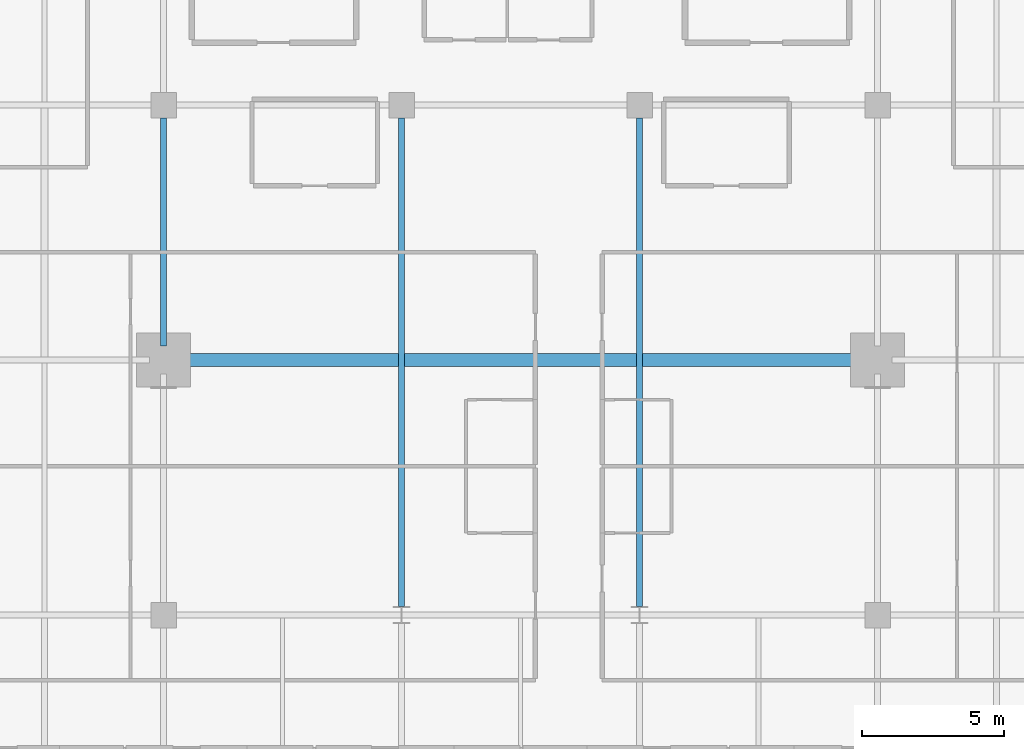
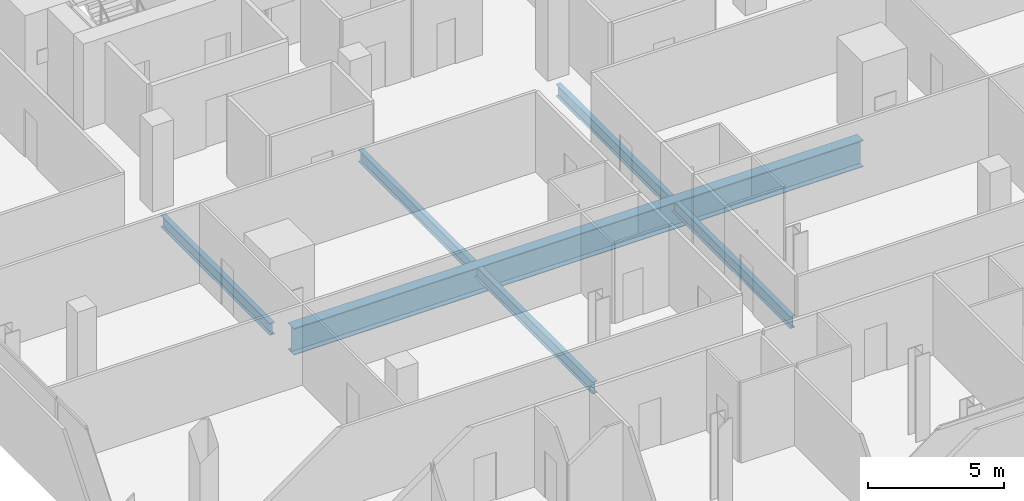
# One storey, part 11 of 33: 4 beams.
"""IFC4 building model written with IfcOpenShell, lengths in metres."""

from ifc_helpers import new_model, si_unit, direction, frame, origin, origin_2d, place, context, subcontext, project, spatial, i_section, extrude, material, material_profile, profile_set, type_object, element, save


model = new_model("IFC4")

# Units and contexts
model_context = context("Model", 3, precision=1e-05, world=origin(), true_north=direction((0.0, 1.0)))
body_context = subcontext(model_context, "Body", "Model", "MODEL_VIEW")
ifc_project = project(units=[si_unit("LENGTHUNIT", "METRE"), si_unit("AREAUNIT", "SQUARE_METRE"), si_unit("VOLUMEUNIT", "CUBIC_METRE"), si_unit("PLANEANGLEUNIT", "RADIAN"), si_unit("MASSUNIT", "GRAM", prefix="KILO")], contexts=[model_context])

# Site, building, storey
site_placement = place(None, origin())
site = spatial("IfcSite", under=ifc_project, at=site_placement, CompositionType="ELEMENT")
building_placement = place(site_placement, origin())
building = spatial("IfcBuilding", under=site, at=building_placement, Name="Maruvema Waterfront Hotel and Observation Tower", CompositionType="ELEMENT")
storey_placement = place(building_placement, frame((0.0, 0.0, 204.39990234375)))
storey = spatial("IfcBuildingStorey", under=building, at=storey_placement, Name="L50", CompositionType="ELEMENT", Elevation=204.39990234375)

# Beams
ifc_material_1 = material(Name="Steel ASTM A572 Grade 50", Category="steel")
ifc_material_profile_1 = material_profile(ifc_material_1, i_section(OverallWidth=0.2109375, OverallDepth=0.5390625, WebThickness=0.01171875, FlangeThickness=0.018798828125, FilletRadius=0.014892578125, at=origin_2d()), Name="W530x109.0")
ifc_profile_set_1 = profile_set([ifc_material_profile_1], Name="Steel ASTM A572 Grade 50")
beam_type_1 = type_object("IfcBeamType", Name="Primary Floor Girder W530x109.0", PredefinedType="BEAM", material=ifc_profile_set_1)
beam_1_placement = place(storey_placement, frame((25.199951171875, 27.5, -0.509521484375), z_axis=(0.0, 1.0, 0.0), x_axis=(-1.0, 0.0, 0.0)))
element("IfcBeam", 1, at=beam_1_placement, inside=storey, type_object=beam_type_1, Name="L50 Floor Girder NS-12", PredefinedType="BEAM", context=body_context, shape_type="SweptSolid", body=[
    extrude(i_section(OverallWidth=0.2109375, OverallDepth=0.5390625, WebThickness=0.01171875, FlangeThickness=0.018798828125, FilletRadius=0.014892578125, at=origin_2d()), origin(), (0.0, 0.0, 1.0), 8.050048828125),
])
for number, where, z_axis, x_axis, name in (
    (2, (33.60009765625, 18.300048828125, -0.509521484375), (0.0, 1.0, 0.0), (-1.0, 0.0, 0.0), "L50 Floor Girder NS-16"),
    (3, (42.0, 18.300048828125, -0.509521484375), (0.0, 1.0, 0.0), (-1.0, 0.0, 0.0), "L50 Floor Girder NS-19"),
):
    element("IfcBeam", number, at=place(storey_placement, frame(where, z_axis=z_axis, x_axis=x_axis)), inside=storey, type_object=beam_type_1, Name=name, PredefinedType="BEAM", context=body_context, shape_type="SweptSolid", body=[
        extrude(i_section(OverallWidth=0.2109375, OverallDepth=0.5390625, WebThickness=0.01171875, FlangeThickness=0.018798828125, FilletRadius=0.014892578125, at=origin_2d()), origin(), (0.0, 0.0, 1.0), 17.25),
    ])
ifc_material_2 = material(Name="Steel ABNT NBR 7007 AR 415 (ASTM A572 Grade 50)", Category="steel")
ifc_material_profile_2 = material_profile(ifc_material_2, i_section(OverallWidth=0.449951171875, OverallDepth=1.199951171875, WebThickness=0.01904296875, FlangeThickness=0.031982421875, at=origin_2d()), Name="VS1200x366")
ifc_profile_set_2 = profile_set([ifc_material_profile_2], Name="Steel ABNT NBR 7007 AR 415 (ASTM A572 Grade 50)")
beam_type_2 = type_object("IfcBeamType", Name="Upper Setback Transfer Girder VS1200x366", PredefinedType="USERDEFINED", material=ifc_profile_set_2)
beam_2_placement = place(storey_placement, frame((25.699951171875, 27.0, -0.83984375), z_axis=(1.0, 0.0, 0.0), x_axis=(0.0, 1.0, 0.0)))
element("IfcBeam", 4, at=beam_2_placement, inside=storey, type_object=beam_type_2, Name="L50 Floor Girder EW-20", ObjectType="TRANSFER GIRDER", PredefinedType="USERDEFINED", context=body_context, shape_type="SweptSolid", body=[
    extrude(i_section(OverallWidth=0.449951171875, OverallDepth=1.199951171875, WebThickness=0.01904296875, FlangeThickness=0.031982421875, at=origin_2d()), origin(), (0.0, 0.0, 1.0), 24.199951171875),
])

save(model, "model.ifc")
